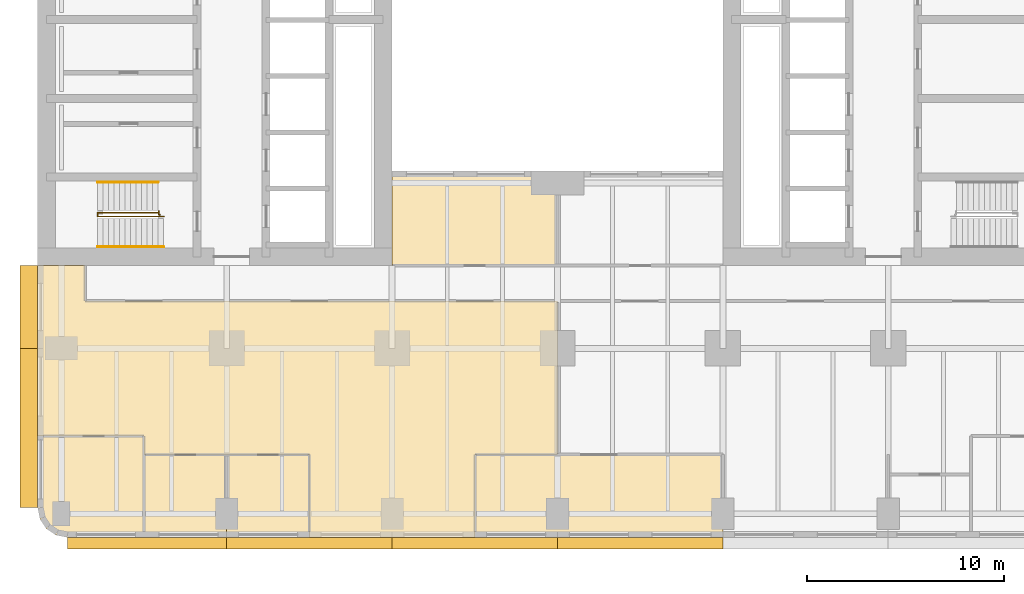
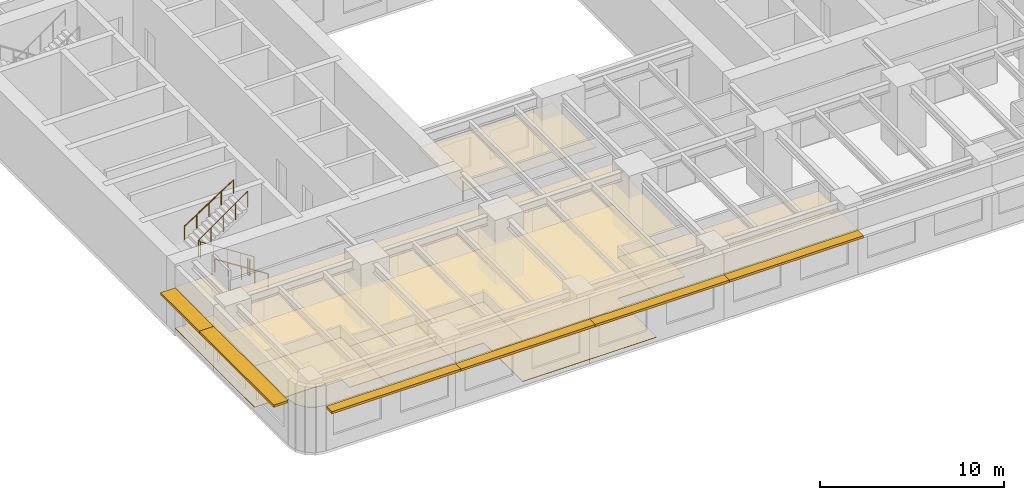
# One storey, part 9 of 12: 7 coverings, 6 shading devices, 4 railings.
"""IFC4 building model written with IfcOpenShell, lengths in metres."""

from ifc_helpers import new_model, si_unit, direction, frame, origin, origin_2d, place, context, subcontext, project, spatial, polyline, rectangle, circle, outline, extrude, material, layer, layer_set, type_object, element, save


model = new_model("IFC4")

# Units and contexts
model_context = context("Model", 3, precision=1e-05, world=origin(), true_north=direction((0.0, 1.0)))
body_context = subcontext(model_context, "Body", "Model", "MODEL_VIEW")
ifc_project = project(units=[si_unit("LENGTHUNIT", "METRE"), si_unit("AREAUNIT", "SQUARE_METRE"), si_unit("VOLUMEUNIT", "CUBIC_METRE"), si_unit("PLANEANGLEUNIT", "RADIAN"), si_unit("MASSUNIT", "GRAM", prefix="KILO")], contexts=[model_context])

# Site, building, storey
site_placement = place(None, origin())
site = spatial("IfcSite", under=ifc_project, at=site_placement, CompositionType="ELEMENT")
building_placement = place(site_placement, origin())
building = spatial("IfcBuilding", under=site, at=building_placement, Name="Claustro Exchange Tower", CompositionType="ELEMENT")
storey_placement = place(building_placement, frame((0.0, 0.0, 50.39990234375)))
storey = spatial("IfcBuildingStorey", under=building, at=storey_placement, Name="L11", CompositionType="ELEMENT", Elevation=50.39990234375)

# Coverings
ifc_material_1 = material(Name="Perforated metal ceiling tiles", Category="steel")
ifc_layer_1 = layer(ifc_material_1, 0.030029296875)
ifc_layer_set_1 = layer_set([ifc_layer_1], Name="Perforated metal ceiling tiles")
covering_type_1 = type_object("IfcCoveringType", Name="CL1 suspended metal ceiling", PredefinedType="CEILING", material=ifc_layer_set_1)
covering_1_placement = place(storey_placement, frame((0.0, 0.0, 3.0)))
element("IfcCovering", 1, at=covering_1_placement, inside=storey, type_object=covering_type_1, Name="Ceiling CL1 L11-10", PredefinedType="CEILING", context=body_context, shape_type="SweptSolid", body=[
    extrude(outline(polyline([(16.800048828125, 17.39990234375), (16.800048828125, 12.60009765625), (25.199951171875, 12.60009765625), (25.199951171875, 17.39990234375), (16.800048828125, 17.39990234375)])), origin(), (0.0, 0.0, 1.0), 0.030029296875),
])
ifc_material_2 = material(Name="Gypsum board ceiling", Category="gypsum board")
ifc_layer_2 = layer(ifc_material_2, 0.02490234375)
ifc_layer_set_2 = layer_set([ifc_layer_2], Name="Gypsum board ceiling")
covering_type_2 = type_object("IfcCoveringType", Name="CL2 plasterboard ceiling", PredefinedType="CEILING", material=ifc_layer_set_2)
covering_2_placement = place(storey_placement, frame((0.0, 0.0, 3.0)))
element("IfcCovering", 2, at=covering_2_placement, inside=storey, type_object=covering_type_2, Name="Ceiling CL2 L11-02", PredefinedType="CEILING", context=body_context, shape_type="SweptSolid", body=[
    extrude(outline(polyline([(4.199951171875, -1.199951171875), (8.39990234375, -1.199951171875), (8.39990234375, 3.0), (4.199951171875, 3.0), (4.199951171875, -1.199951171875)])), origin(), (0.0, 0.0, 1.0), 0.025146484375),
])
covering_3_placement = place(storey_placement, frame((0.0, 0.0, 3.0)))
element("IfcCovering", 3, at=covering_3_placement, inside=storey, type_object=covering_type_2, Name="Ceiling CL2 L11-03", PredefinedType="CEILING", context=body_context, shape_type="SweptSolid", body=[
    extrude(outline(polyline([(8.39990234375, -1.199951171875), (12.60009765625, -1.199951171875), (12.60009765625, 3.0), (8.39990234375, 3.0), (8.39990234375, -1.199951171875)])), origin(), (0.0, 0.0, 1.0), 0.025146484375),
])
covering_4_placement = place(storey_placement, frame((0.0, 0.0, 3.0)))
element("IfcCovering", 4, at=covering_4_placement, inside=storey, type_object=covering_type_2, Name="Ceiling CL2 L11-04", PredefinedType="CEILING", context=body_context, shape_type="SweptSolid", body=[
    extrude(outline(polyline([(21.0, -1.199951171875), (33.60009765625, -1.199951171875), (33.60009765625, 3.0), (21.0, 3.0), (21.0, -1.199951171875)])), origin(), (0.0, 0.0, 1.0), 0.025146484375),
])
covering_5_placement = place(storey_placement, frame((0.0, 0.0, 3.0)))
element("IfcCovering", 5, at=covering_5_placement, inside=storey, type_object=covering_type_2, Name="Ceiling CL2 L11-05", PredefinedType="CEILING", context=body_context, shape_type="SweptSolid", body=[
    extrude(outline(polyline([(-1.085693359375, -0.27392578125), (-0.7607421875, -0.7607421875), (-0.27392578125, -1.085693359375), (0.300048828125, -1.199951171875), (4.199951171875, -1.199951171875), (4.199951171875, 3.949951171875), (-1.199951171875, 3.949951171875), (-1.199951171875, 0.300048828125), (-1.085693359375, -0.27392578125)])), origin(), (0.0, 0.0, 1.0), 0.025146484375),
])
covering_6_placement = place(storey_placement, frame((0.0, 0.0, 3.0)))
element("IfcCovering", 6, at=covering_6_placement, inside=storey, type_object=covering_type_2, Name="Ceiling CL2 L11-08", PredefinedType="CEILING", context=body_context, shape_type="SweptSolid", body=[
    extrude(outline(polyline([(-1.199951171875, 12.60009765625), (-1.199951171875, 3.949951171875), (4.199951171875, 3.949951171875), (4.199951171875, 3.0), (8.39990234375, 3.0), (12.60009765625, 3.0), (12.60009765625, -1.199951171875), (21.0, -1.199951171875), (21.0, 3.0), (25.199951171875, 3.0), (25.199951171875, 10.800048828125), (1.199951171875, 10.800048828125), (1.199951171875, 12.60009765625), (-1.199951171875, 12.60009765625)])), origin(), (0.0, 0.0, 1.0), 0.025146484375),
])

# Railings
ifc_material_3 = material(Name="Steel balustrade, painted", Category="steel")
railing_type_1 = type_object("IfcRailingType", Name="GR2 1100 steel stair guard", PredefinedType="GUARDRAIL", material=ifc_material_3)
railing_1_placement = place(storey_placement, frame((5.199951171875, 15.10009765625, 0.18017578125)))
element("IfcRailing", 7, at=railing_1_placement, inside=storey, type_object=railing_type_1, Name="Stair well guard GR2 stair STWA L11", PredefinedType="GUARDRAIL", context=body_context, shape_type="SweptSolid", body=[
    extrude(circle(Radius=0.02392578125, at=origin_2d()), frame((0.0, 0.0, 1.076171875), z_axis=(-0.841178475377, 0.0, 0.540757591313), x_axis=(0.0, -1.0, 0.0)), (0.0, 0.0, 1.0), 3.994140625),
    extrude(circle(Radius=0.02392578125, at=origin_2d()), frame((-3.35986328125, 0.0, 3.23583984375), z_axis=(0.0, 1.0, 0.0), x_axis=(-1.0, 0.0, 0.0)), (0.0, 0.0, 1.0), 0.199951171875),
    extrude(circle(Radius=0.02392578125, at=origin_2d()), frame((-3.35986328125, 0.199951171875, 3.23583984375), z_axis=(0.818728512145, 0.0, 0.574180828137), x_axis=(0.0, 1.0, 0.0)), (0.0, 0.0, 1.0), 3.76171875),
    extrude(circle(Radius=0.02099609375, at=origin_2d()), origin(), (0.0, 0.0, 1.0), 1.052001953125),
    extrude(circle(Radius=0.02099609375, at=origin_2d()), frame((-0.83984375, 0.0, 0.5400390625)), (0.0, 0.0, 1.0), 1.052001953125),
    extrude(circle(Radius=0.02099609375, at=origin_2d()), frame((-1.679931640625, 0.0, 1.080078125)), (0.0, 0.0, 1.0), 1.052001953125),
    extrude(circle(Radius=0.02099609375, at=origin_2d()), frame((-2.52001953125, 0.0, 1.619873046875)), (0.0, 0.0, 1.0), 1.052001953125),
    extrude(circle(Radius=0.02099609375, at=origin_2d()), frame((-3.35986328125, 0.0, 2.159912109375)), (0.0, 0.0, 1.0), 1.052001953125),
    extrude(circle(Radius=0.02099609375, at=origin_2d()), frame((-3.35986328125, 0.199951171875, 2.159912109375)), (0.0, 0.0, 1.0), 1.052001953125),
    extrude(circle(Radius=0.02099609375, at=origin_2d()), frame((-2.58984375, 0.199951171875, 2.699951171875)), (0.0, 0.0, 1.0), 1.052001953125),
    extrude(circle(Radius=0.02099609375, at=origin_2d()), frame((-1.81982421875, 0.199951171875, 3.23974609375)), (0.0, 0.0, 1.0), 1.052001953125),
    extrude(circle(Radius=0.02099609375, at=origin_2d()), frame((-1.050048828125, 0.199951171875, 3.77978515625)), (0.0, 0.0, 1.0), 1.052001953125),
    extrude(circle(Radius=0.02099609375, at=origin_2d()), frame((-0.280029296875, 0.199951171875, 4.31982421875)), (0.0, 0.0, 1.0), 1.052001953125),
])
railing_2_placement = place(storey_placement, frame((5.0, 15.169921875, 0.0)))
element("IfcRailing", 8, at=railing_2_placement, inside=storey, type_object=railing_type_1, Name="Stair guard GR2 STWA L11", PredefinedType="GUARDRAIL", context=body_context, shape_type="SweptSolid", body=[
    extrude(circle(Radius=0.02392578125, at=origin_2d()), frame((0.0, 0.0, 1.076171875), z_axis=(0.0, 1.0, 0.0), x_axis=(-1.0, 0.0, 0.0)), (0.0, 0.0, 1.0), 0.030029296875),
    extrude(circle(Radius=0.02392578125, at=origin_2d()), frame((0.0, 0.030029296875, 1.076171875), z_axis=(-1.0, 0.0, 0.0), x_axis=(0.0, -1.0, 0.0)), (0.0, 0.0, 1.0), 0.054931640625),
    extrude(circle(Radius=0.02392578125, at=origin_2d()), frame((-0.054931640625, 0.030029296875, 1.076171875), z_axis=(0.0, 1.0, 0.0), x_axis=(-1.0, 0.0, 0.0)), (0.0, 0.0, 1.0), 0.179931640625),
    extrude(circle(Radius=0.02099609375, at=origin_2d()), origin(), (0.0, 0.0, 1.0), 1.052001953125),
    extrude(circle(Radius=0.02099609375, at=origin_2d()), frame((0.0, 0.030029296875, 0.0)), (0.0, 0.0, 1.0), 1.052001953125),
    extrude(circle(Radius=0.02099609375, at=origin_2d()), frame((-0.054931640625, 0.030029296875, 0.0)), (0.0, 0.0, 1.0), 1.052001953125),
    extrude(circle(Radius=0.02099609375, at=origin_2d()), frame((-0.054931640625, 0.2099609375, 0.0)), (0.0, 0.0, 1.0), 1.052001953125),
])
ifc_material_4 = material(Name="Stainless steel tube", Category="steel")
railing_type_2 = type_object("IfcRailingType", Name="HR1 900 stair handrail", PredefinedType="HANDRAIL", material=ifc_material_4)
railing_3_placement = place(storey_placement, frame((5.199951171875, 13.56005859375, 0.18017578125)))
element("IfcRailing", 9, at=railing_3_placement, inside=storey, type_object=railing_type_2, Name="Handrail HR1 stair STWA L11", PredefinedType="HANDRAIL", context=body_context, shape_type="SweptSolid", body=[
    extrude(circle(Radius=0.02392578125, at=origin_2d()), frame((0.0, 0.0, 0.8759765625), z_axis=(-0.841178475377, 0.0, 0.540757591313), x_axis=(0.0, -1.0, 0.0)), (0.0, 0.0, 1.0), 3.994140625),
    extrude(circle(Radius=0.02099609375, at=origin_2d()), origin(), (0.0, 0.0, 1.0), 0.851806640625),
    extrude(circle(Radius=0.02099609375, at=origin_2d()), frame((-0.83984375, 0.0, 0.5400390625)), (0.0, 0.0, 1.0), 0.851806640625),
    extrude(circle(Radius=0.02099609375, at=origin_2d()), frame((-1.679931640625, 0.0, 1.080078125)), (0.0, 0.0, 1.0), 0.851806640625),
    extrude(circle(Radius=0.02099609375, at=origin_2d()), frame((-2.52001953125, 0.0, 1.619873046875)), (0.0, 0.0, 1.0), 0.851806640625),
    extrude(circle(Radius=0.02099609375, at=origin_2d()), frame((-3.35986328125, 0.0, 2.159912109375)), (0.0, 0.0, 1.0), 0.851806640625),
])
railing_4_placement = place(storey_placement, frame((1.840087890625, 16.840087890625, 2.52001953125)))
element("IfcRailing", 10, at=railing_4_placement, inside=storey, type_object=railing_type_2, Name="Handrail HR1 stair STWA L11", PredefinedType="HANDRAIL", context=body_context, shape_type="SweptSolid", body=[
    extrude(circle(Radius=0.02392578125, at=origin_2d()), frame((0.0, 0.0, 0.8759765625), z_axis=(0.841167642724, 0.0, 0.540774441735), x_axis=(0.0, 1.0, 0.0)), (0.0, 0.0, 1.0), 3.661376953125),
    extrude(circle(Radius=0.02099609375, at=origin_2d()), origin(), (0.0, 0.0, 1.0), 0.851806640625),
    extrude(circle(Radius=0.02099609375, at=origin_2d()), frame((0.77001953125, 0.0, 0.4951171875)), (0.0, 0.0, 1.0), 0.851806640625),
    extrude(circle(Radius=0.02099609375, at=origin_2d()), frame((1.5400390625, 0.0, 0.989990234375)), (0.0, 0.0, 1.0), 0.851806640625),
    extrude(circle(Radius=0.02099609375, at=origin_2d()), frame((2.309814453125, 0.0, 1.48486328125)), (0.0, 0.0, 1.0), 0.851806640625),
    extrude(circle(Radius=0.02099609375, at=origin_2d()), frame((3.079833984375, 0.0, 1.97998046875)), (0.0, 0.0, 1.0), 0.851806640625),
])

# Covering
ifc_material_5 = material(Name="Steel-encased raised floor panels on pedestals", Category="steel")
ifc_layer_3 = layer(ifc_material_5, 0.0400390625)
ifc_layer_set_3 = layer_set([ifc_layer_3], Name="Steel-encased raised floor panels on pedestals")
covering_type_3 = type_object("IfcCoveringType", Name="RF1 300 raised access floor", PredefinedType="FLOORING", material=ifc_layer_set_3)
covering_7_placement = place(storey_placement, frame((0.0, 0.0, 0.260009765625)))
element("IfcCovering", 11, at=covering_7_placement, inside=storey, type_object=covering_type_3, Name="Raised access floor RF1 L11-08", PredefinedType="FLOORING", context=body_context, shape_type="SweptSolid", body=[
    extrude(outline(polyline([(-1.199951171875, 12.60009765625), (-1.199951171875, 3.949951171875), (4.199951171875, 3.949951171875), (4.199951171875, 3.0), (8.39990234375, 3.0), (12.60009765625, 3.0), (12.60009765625, -1.199951171875), (21.0, -1.199951171875), (21.0, 3.0), (25.199951171875, 3.0), (25.199951171875, 10.800048828125), (1.199951171875, 10.800048828125), (1.199951171875, 12.60009765625), (-1.199951171875, 12.60009765625)])), origin(), (0.0, 0.0, 1.0), 0.0400390625),
])

# Shading devices
ifc_material_6 = material(Name="Concrete HA-40 (C40/50), precast, white cement, acid-etched", Category="concrete")
ifc_layer_4 = layer(ifc_material_6, 0.14990234375)
ifc_layer_set_4 = layer_set([ifc_layer_4], Name="Concrete HA-40 (C40/50), precast, white cement, acid-etched")
shading_device_type_1 = type_object("IfcShadingDeviceType", Name="SS1 600 precast concrete SUNSHADE", PredefinedType="SHUTTER", material=ifc_layer_set_4)
for number, where, z_axis, x_axis, name in (
    (12, (29.39990234375, -1.5, 2.800048828125), (0.0, 0.0, 1.0), (-1.0, 0.0, 0.0), "Precast SUNSHADE SS1 L11"),
    (13, (21.0, -1.5, 2.800048828125), (0.0, 0.0, 1.0), (-1.0, 0.0, 0.0), "Precast SUNSHADE SS1 L11"),
    (14, (12.60009765625, -1.5, 2.800048828125), (0.0, 0.0, 1.0), (-1.0, 0.0, 0.0), "Precast SUNSHADE SS1 L11"),
):
    element("IfcShadingDevice", number, at=place(storey_placement, frame(where, z_axis=z_axis, x_axis=x_axis)), inside=storey, type_object=shading_device_type_1, Name=name, PredefinedType="SHUTTER", context=body_context, shape_type="SweptSolid", body=[
        extrude(rectangle(XDim=8.39990234375, YDim=0.60009765625, at=origin_2d()), origin(), (0.0, 0.0, 1.0), 0.14990234375),
    ])
shading_device_1_placement = place(storey_placement, frame((4.357421875, -1.5, 2.800048828125), z_axis=(0.0, 0.0, 1.0), x_axis=(-1.0, 0.0, 0.0)))
element("IfcShadingDevice", 15, at=shading_device_1_placement, inside=storey, type_object=shading_device_type_1, Name="Precast SUNSHADE SS1 L11", PredefinedType="SHUTTER", context=body_context, shape_type="SweptSolid", body=[
    extrude(rectangle(XDim=8.085205078125, YDim=0.60009765625, at=origin_2d()), origin(), (0.0, 0.0, 1.0), 0.14990234375),
])
ifc_material_7 = material(Name="Concrete HA-40 (C40/50), precast, white cement, acid-etched", Category="concrete")
ifc_layer_5 = layer(ifc_material_7, 0.14990234375)
ifc_layer_set_5 = layer_set([ifc_layer_5], Name="Concrete HA-40 (C40/50), precast, white cement, acid-etched")
shading_device_type_2 = type_object("IfcShadingDeviceType", Name="SS2 900 precast concrete SUNSHADE", PredefinedType="SHUTTER", material=ifc_layer_set_5)
shading_device_2_placement = place(storey_placement, frame((-1.64990234375, 4.357421875, 2.800048828125), z_axis=(0.0, 0.0, 1.0), x_axis=(0.0, 1.0, 0.0)))
element("IfcShadingDevice", 16, at=shading_device_2_placement, inside=storey, type_object=shading_device_type_2, Name="Precast SUNSHADE SS2 L11", PredefinedType="SHUTTER", context=body_context, shape_type="SweptSolid", body=[
    extrude(rectangle(XDim=8.085205078125, YDim=0.89990234375, at=origin_2d()), origin(), (0.0, 0.0, 1.0), 0.14990234375),
])
shading_device_3_placement = place(storey_placement, frame((-1.64990234375, 10.5, 2.800048828125), z_axis=(0.0, 0.0, 1.0), x_axis=(0.0, 1.0, 0.0)))
element("IfcShadingDevice", 17, at=shading_device_3_placement, inside=storey, type_object=shading_device_type_2, Name="Precast SUNSHADE SS2 L11", PredefinedType="SHUTTER", context=body_context, shape_type="SweptSolid", body=[
    extrude(rectangle(XDim=4.199951171875, YDim=0.89990234375, at=origin_2d()), origin(), (0.0, 0.0, 1.0), 0.14990234375),
])

save(model, "model.ifc")
